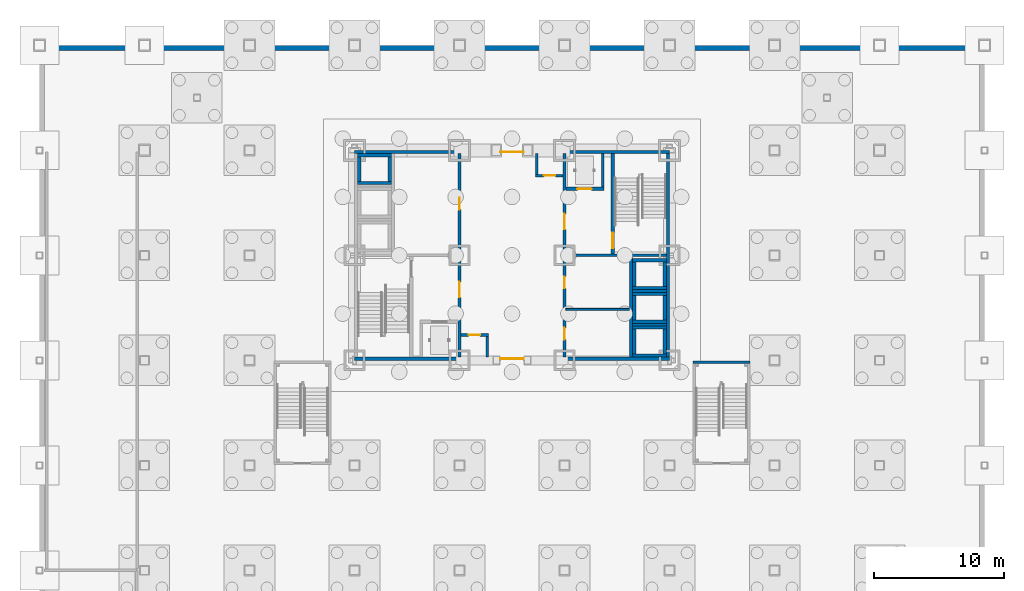
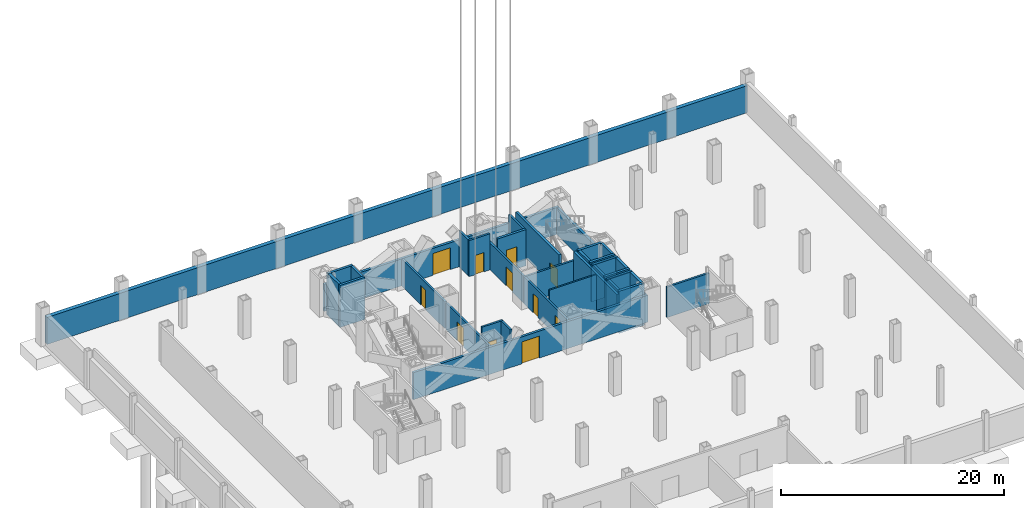
# One storey, part 12 of 17: 37 walls, 11 doors, 11 openings.
"""IFC4 building model written with IfcOpenShell, lengths in metres."""

import ifcopenshell
import ifcopenshell.guid

model = None  # the IFC model being written
_history = None  # IfcOwnerHistory: only IFC2X3 demands one
_inside = {}  # id of a spatial element -> (the spatial element, [elements in it])
_under = {}  # id of a project, library or spatial element -> (it, [spatial elements below it])
_declared = {}  # id of a project -> (the project, [libraries it declares])
_typed = {}  # id of a type object -> (the type object, [elements of that type])
_made_of = {}  # id of a material, layer set ... -> (it, [elements and type objects made of it])


def new_model(schema):
    """Start an empty IFC model of exactly this schema.

    Asked for "IFC4X3", IfcOpenShell would pick the latest addendum, in which some entities
    have other attributes; the version numbers below select the first issue.
    IFC2X3 requires an IfcOwnerHistory on every rooted entity: one is made here for all.
    """
    global model, _history
    if schema == "IFC4X3":
        model = ifcopenshell.file(schema_version=(4, 3, 0, 0))
    else:
        model = ifcopenshell.file(schema=schema)
    _inside.clear()
    _under.clear()
    _declared.clear()
    _typed.clear()
    _made_of.clear()
    _history = None
    if model.schema == "IFC2X3":
        org = make("IfcOrganization", Name="unknown")
        user = make(
            "IfcPersonAndOrganization",
            ThePerson=make("IfcPerson", FamilyName="unknown"),
            TheOrganization=org,
        )
        app = make(
            "IfcApplication",
            ApplicationDeveloper=org,
            Version="unknown",
            ApplicationFullName="unknown",
            ApplicationIdentifier="unknown",
        )
        _history = make(
            "IfcOwnerHistory",
            OwningUser=user,
            OwningApplication=app,
            ChangeAction="ADDED",
            CreationDate=0,
        )
    return model


def make(cls, **values):
    """One entity of the class cls with the attributes given. An attribute that is None is left unset."""
    return model.create_entity(
        cls, **{name: value for name, value in values.items() if value is not None}
    )


def rooted(cls, **values):
    """An entity with a GlobalId (a new one), such as an element, a storey or a relation."""
    return make(cls, GlobalId=ifcopenshell.guid.new(), OwnerHistory=_history, **values)


def si_unit(unit_type, name, prefix=None):
    """IfcSIUnit, for example si_unit("LENGTHUNIT", "METRE", prefix="MILLI")."""
    return make("IfcSIUnit", UnitType=unit_type, Prefix=prefix, Name=name)


def assignment(units):
    """IfcUnitAssignment: the units of a project."""
    return None if units is None else make("IfcUnitAssignment", Units=units)


def point(xyz):
    """IfcCartesianPoint."""
    return None if xyz is None else make("IfcCartesianPoint", Coordinates=xyz)


def direction(xyz):
    """IfcDirection."""
    return None if xyz is None else make("IfcDirection", DirectionRatios=xyz)


def frame(location, z_axis=None, x_axis=None):
    """IfcAxis2Placement3D, a coordinate frame: its origin and axes. An axis left out is left unset."""
    return make(
        "IfcAxis2Placement3D",
        Location=point(location),
        Axis=direction(z_axis),
        RefDirection=direction(x_axis),
    )


def frame_2d(location, x_axis=None):
    """IfcAxis2Placement2D, a coordinate frame in the plane: its origin and x axis."""
    return make(
        "IfcAxis2Placement2D", Location=point(location), RefDirection=direction(x_axis)
    )


def origin():
    """The frame at (0, 0, 0) with its axes left unset."""
    return frame((0.0, 0.0, 0.0))


def place(relative_to, where):
    """IfcLocalPlacement: puts the frame where relative to a parent placement (None: the world)."""
    return make(
        "IfcLocalPlacement", PlacementRelTo=relative_to, RelativePlacement=where
    )


def context(
    kind, dimensions, precision=None, world=None, true_north=None, identifier=None
):
    """IfcGeometricRepresentationContext, for example the 3D "Model" context."""
    return make(
        "IfcGeometricRepresentationContext",
        ContextIdentifier=identifier,
        ContextType=kind,
        CoordinateSpaceDimension=dimensions,
        Precision=precision,
        WorldCoordinateSystem=world,
        TrueNorth=true_north,
    )


def subcontext(parent, identifier, kind, view, scale=None):
    """IfcGeometricRepresentationSubContext, for example "Body" below "Model"."""
    return make(
        "IfcGeometricRepresentationSubContext",
        ContextIdentifier=identifier,
        ContextType=kind,
        ParentContext=parent,
        TargetScale=scale,
        TargetView=view,
    )


def project(units=None, contexts=None):
    """IfcProject with its units and contexts."""
    return rooted(
        "IfcProject",
        Name="project",
        RepresentationContexts=contexts,
        UnitsInContext=assignment(units),
    )


def spatial(cls, under=None, at=None, **own):
    """A site, building, storey or space (cls), placed at a placement, below another one or the project."""
    s = rooted(cls, ObjectPlacement=at, **own)
    if under is not None:
        _under.setdefault(under.id(), (under, []))[1].append(s)
    return s


def profile(cls, at=None, kind="AREA", **sizes):
    """A parametric profile (cls). Its sizes go by their IFC names, for example OverallWidth=200.0."""
    return make(cls, ProfileType=kind, Position=at, **sizes)


def rectangle(**sizes):
    """IfcRectangleProfileDef."""
    return profile("IfcRectangleProfileDef", **sizes)


def extrude(swept, where, along, depth):
    """IfcExtrudedAreaSolid: the profile swept, set in the frame where, extruded along a direction by depth."""
    return make(
        "IfcExtrudedAreaSolid",
        SweptArea=swept,
        Position=where,
        ExtrudedDirection=direction(along),
        Depth=depth,
    )


def shape(context_of_items, identifier, shape_type, items):
    """IfcShapeRepresentation: the items that make up one representation, for example the "Body"."""
    return make(
        "IfcShapeRepresentation",
        ContextOfItems=context_of_items,
        RepresentationIdentifier=identifier,
        RepresentationType=shape_type,
        Items=items,
    )


def material(Name=None, Category=None):
    """IfcMaterial."""
    return make("IfcMaterial", Name=Name, Category=Category)


def layer(
    of_material, thickness, ventilated=None, Name=None, Category=None, Priority=None
):
    """IfcMaterialLayer: one layer of a wall or slab, of a material (None: an air gap)."""
    return make(
        "IfcMaterialLayer",
        Material=of_material,
        LayerThickness=thickness,
        IsVentilated=ventilated,
        Name=Name,
        Category=Category,
        Priority=Priority,
    )


def layer_set(layers, Name=None):
    """IfcMaterialLayerSet."""
    return make("IfcMaterialLayerSet", MaterialLayers=layers, LayerSetName=Name)


def made_of(thing, what):
    """Note that an element or type object is made of a material, layer set ...; save() writes the relation."""
    if what is not None:
        _made_of.setdefault(what.id(), (what, []))[1].append(thing)
    return thing


def type_object(cls, material=None, **own):
    """A type object (cls), such as IfcWallType, which elements share."""
    return made_of(rooted(cls, **own), material)


def element(
    cls,
    number,
    at=None,
    inside=None,
    cuts=None,
    type_object=None,
    material=None,
    context=None,
    identifier="Body",
    shape_type=None,
    held_by="IfcProductDefinitionShape",
    body=None,
    shapes=None,
    **own,
):
    """One element of the class cls, such as IfcWall. Its Tag is "e" and its number.

    at: its placement. inside: the storey or other place that contains it. cuts: it is an
    opening in that element (IfcRelVoidsElement). A single representation is given by context,
    identifier, shape_type and body (its items); several are given by shapes. held_by: the class
    of the entity that holds the representations. save() writes the other relations.
    """
    e = rooted(cls, Tag="e%d" % number, ObjectPlacement=at, **own)
    if body is not None:
        shapes = [shape(context, identifier, shape_type, body)]
    if shapes is not None:
        e.Representation = make(held_by, Representations=shapes)
    if inside is not None:
        _inside.setdefault(inside.id(), (inside, []))[1].append(e)
    if cuts is not None:
        rooted(
            "IfcRelVoidsElement", RelatingBuildingElement=cuts, RelatedOpeningElement=e
        )
    if type_object is not None:
        _typed.setdefault(type_object.id(), (type_object, []))[1].append(e)
    return made_of(e, material)


def fill(opening, filler):
    """IfcRelFillsElement: the door or window that sits in an opening."""
    return rooted(
        "IfcRelFillsElement",
        RelatingOpeningElement=opening,
        RelatedBuildingElement=filler,
    )


def aggregate(whole, parts):
    """IfcRelAggregates: a whole, such as a stair, and the parts it consists of."""
    return rooted("IfcRelAggregates", RelatingObject=whole, RelatedObjects=parts)


def save(model, path):
    """Write the relations noted so far, then the file.

    IfcRelAggregates (storeys below a building ...), IfcRelContainedInSpatialStructure (elements
    in a storey), IfcRelDefinesByType, IfcRelAssociatesMaterial and IfcRelDeclares: one each for
    every whole, place, type object, material and project.
    """
    for whole, parts in _under.values():
        aggregate(whole, parts)
    for where, things in _inside.values():
        rooted(
            "IfcRelContainedInSpatialStructure",
            RelatedElements=things,
            RelatingStructure=where,
        )
    for kind, things in _typed.values():
        rooted("IfcRelDefinesByType", RelatedObjects=things, RelatingType=kind)
    for what, things in _made_of.values():
        rooted("IfcRelAssociatesMaterial", RelatedObjects=things, RelatingMaterial=what)
    for by, libraries in _declared.values():
        rooted("IfcRelDeclares", RelatingContext=by, RelatedDefinitions=libraries)
    model.write(path)


model = new_model("IFC4")

# Units and contexts
model_context = context("Model", 3, precision=1e-05, world=origin(), true_north=direction((0.0, 1.0)))
body_context = subcontext(model_context, "Body", "Model", "MODEL_VIEW")
ifc_project = project(units=[si_unit("LENGTHUNIT", "METRE"), si_unit("AREAUNIT", "SQUARE_METRE"), si_unit("VOLUMEUNIT", "CUBIC_METRE"), si_unit("PLANEANGLEUNIT", "RADIAN"), si_unit("MASSUNIT", "GRAM", prefix="KILO")], contexts=[model_context])

# Site, building, storey
site_placement = place(None, origin())
site = spatial("IfcSite", under=ifc_project, at=site_placement, CompositionType="ELEMENT")
building_placement = place(site_placement, origin())
building = spatial("IfcBuilding", under=site, at=building_placement, Name="Kopane Lantern Tower", CompositionType="ELEMENT")
storey_placement = place(building_placement, frame((0.0, 0.0, -8.39990234375)))
storey = spatial("IfcBuildingStorey", under=building, at=storey_placement, Name="L-02", CompositionType="ELEMENT", Elevation=-8.39990234375)

# Walls
ifc_material_1 = material(Name="Concrete C40/50", Category="concrete")
ifc_layer_1 = layer(ifc_material_1, 0.39990234375)
ifc_layer_set_1 = layer_set([ifc_layer_1], Name="BASEMENT RETAINING WALL 400")
wall_type_1 = type_object("IfcWallType", Name="BASEMENT RETAINING WALL 400", PredefinedType="SOLIDWALL", material=ifc_layer_set_1)
wall_1_placement = place(storey_placement, frame((64.60009765625, 48.39990234375, 0.0), z_axis=(0.0, 0.0, 1.0), x_axis=(-1.0, 0.0, 0.0)))
element("IfcWall", 1, at=wall_1_placement, inside=storey, type_object=wall_type_1, Name="Basement Retaining Wall 400 L-02", PredefinedType="SOLIDWALL", context=body_context, shape_type="SweptSolid", body=[
    extrude(rectangle(XDim=72.5, YDim=0.39990234375, at=frame_2d((36.25, 0.0))), origin(), (0.0, 0.0, 1.0), 2.949951171875),
])
ifc_material_2 = material(Name="Gypsum partition EI 60", Category="gypsum")
ifc_layer_2 = layer(ifc_material_2, 0.14990234375)
ifc_layer_set_2 = layer_set([ifc_layer_2], Name="CORE ROOM PARTITION 150 EI 60")
wall_type_2 = type_object("IfcWallType", Name="CORE ROOM PARTITION 150 EI 60", PredefinedType="PARTITIONING", material=ifc_layer_set_2)
wall_2_placement = place(storey_placement, frame((32.5, 28.22509765625, 0.0), z_axis=(0.0, 0.0, 1.0), x_axis=(1.0, 0.0, 0.0)))
element("IfcWall", 2, at=wall_2_placement, inside=storey, type_object=wall_type_2, Name="Core room partition L-02 E1", PredefinedType="PARTITIONING", context=body_context, shape_type="SweptSolid", body=[
    extrude(rectangle(XDim=4.89990234375, YDim=0.14990234375, at=frame_2d((2.449951171875, 0.0))), origin(), (0.0, 0.0, 1.0), 3.949951171875),
])

# Wall, opening, door
ifc_material_3 = material(Name="Gypsum partition EI 60", Category="gypsum")
ifc_layer_3 = layer(ifc_material_3, 0.199951171875)
ifc_layer_set_3 = layer_set([ifc_layer_3], Name="CORE ROOM WALL 200 EI 60")
wall_type_3 = type_object("IfcWallType", Name="CORE ROOM WALL 200 EI 60", PredefinedType="PARTITIONING", material=ifc_layer_set_3)
wall_3_placement = place(storey_placement, frame((24.300048828125, 32.5, 0.0), z_axis=(0.0, 0.0, 1.0), x_axis=(0.0, 1.0, 0.0)))
wall_3 = element("IfcWall", 3, at=wall_3_placement, inside=storey, type_object=wall_type_3, Name="Core room wall L-02 XW", PredefinedType="PARTITIONING", context=body_context, shape_type="SweptSolid", body=[
    extrude(rectangle(XDim=7.75, YDim=0.199951171875, at=frame_2d((3.875, 0.0))), origin(), (0.0, 0.0, 1.0), 2.949951171875),
])
opening_1_placement = place(wall_3_placement, frame((3.425048828125, 0.0, 0.0)))
opening_1 = element("IfcOpeningElement", 4, at=opening_1_placement, cuts=wall_3, Name="Opening L-02.C30", PredefinedType="OPENING", context=body_context, shape_type="SweptSolid", body=[
    extrude(rectangle(XDim=0.89990234375, YDim=2.10009765625, at=frame_2d((0.449951171875, 1.050048828125))), frame((0.0, 0.10986328125, 0.0), z_axis=(0.0, -1.0, 0.0), x_axis=(1.0, 0.0, 0.0)), (0.0, 0.0, 1.0), 0.219970703125),
])
ifc_material_4 = material(Name="Steel door set", Category="steel")
door_type_1 = type_object("IfcDoorType", Name="CORE ROOM DOOR 900x2100 FD60", OperationType="SINGLE_SWING_LEFT", PredefinedType="DOOR", material=ifc_material_4)
door_1_placement = place(opening_1_placement, origin())
door_1 = element("IfcDoor", 5, at=door_1_placement, inside=storey, type_object=door_type_1, Name="Door Basement store L-02", OperationType="SINGLE_SWING_LEFT", OverallHeight=2.10009765625, OverallWidth=0.89990234375, PredefinedType="DOOR", context=body_context, shape_type="SweptSolid", body=[
    extrude(rectangle(XDim=0.89990234375, YDim=2.10009765625, at=frame_2d((0.449951171875, 1.050048828125))), frame((0.0, 0.02490234375, 0.0), z_axis=(0.0, -1.0, 0.0), x_axis=(1.0, 0.0, 0.0)), (0.0, 0.0, 1.0), 0.050048828125),
])
fill(opening_1, door_1)

# Wall, openings, doors
wall_4_placement = place(storey_placement, frame((32.39990234375, 24.550048828125, 0.0), z_axis=(0.0, 0.0, 1.0), x_axis=(0.0, 1.0, 0.0)))
wall_4 = element("IfcWall", 6, at=wall_4_placement, inside=storey, type_object=wall_type_3, Name="Core room wall L-02 XE", PredefinedType="PARTITIONING", context=body_context, shape_type="SweptSolid", body=[
    extrude(rectangle(XDim=7.75, YDim=0.199951171875, at=frame_2d((3.875, 0.0))), origin(), (0.0, 0.0, 1.0), 2.949951171875),
])
opening_2_placement = place(wall_4_placement, frame((1.35009765625, 0.0, 0.0)))
opening_2 = element("IfcOpeningElement", 7, at=opening_2_placement, cuts=wall_4, Name="Opening L-02.C20", PredefinedType="OPENING", context=body_context, shape_type="SweptSolid", body=[
    extrude(rectangle(XDim=0.89990234375, YDim=2.10009765625, at=frame_2d((0.449951171875, 1.050048828125))), frame((0.0, 0.10986328125, 0.0), z_axis=(0.0, -1.0, 0.0), x_axis=(1.0, 0.0, 0.0)), (0.0, 0.0, 1.0), 0.219970703125),
])
opening_3_placement = place(wall_4_placement, frame((5.300048828125, 0.0, 0.0)))
opening_3 = element("IfcOpeningElement", 8, at=opening_3_placement, cuts=wall_4, Name="Opening L-02.C21", PredefinedType="OPENING", context=body_context, shape_type="SweptSolid", body=[
    extrude(rectangle(XDim=0.89990234375, YDim=2.10009765625, at=frame_2d((0.449951171875, 1.050048828125))), frame((0.0, 0.10986328125, 0.0), z_axis=(0.0, -1.0, 0.0), x_axis=(1.0, 0.0, 0.0)), (0.0, 0.0, 1.0), 0.219970703125),
])
door_2_placement = place(opening_2_placement, origin())
door_2 = element("IfcDoor", 9, at=door_2_placement, inside=storey, type_object=door_type_1, Name="Door Electrical room L-02", OperationType="SINGLE_SWING_LEFT", OverallHeight=2.10009765625, OverallWidth=0.89990234375, PredefinedType="DOOR", context=body_context, shape_type="SweptSolid", body=[
    extrude(rectangle(XDim=0.89990234375, YDim=2.10009765625, at=frame_2d((0.449951171875, 1.050048828125))), frame((0.0, 0.02490234375, 0.0), z_axis=(0.0, -1.0, 0.0), x_axis=(1.0, 0.0, 0.0)), (0.0, 0.0, 1.0), 0.050048828125),
])
fill(opening_2, door_2)
door_3_placement = place(opening_3_placement, origin())
door_3 = element("IfcDoor", 10, at=door_3_placement, inside=storey, type_object=door_type_1, Name="Door Plant store L-02", OperationType="SINGLE_SWING_LEFT", OverallHeight=2.10009765625, OverallWidth=0.89990234375, PredefinedType="DOOR", context=body_context, shape_type="SweptSolid", body=[
    extrude(rectangle(XDim=0.89990234375, YDim=2.10009765625, at=frame_2d((0.449951171875, 1.050048828125))), frame((0.0, 0.02490234375, 0.0), z_axis=(0.0, -1.0, 0.0), x_axis=(1.0, 0.0, 0.0)), (0.0, 0.0, 1.0), 0.050048828125),
])
fill(opening_3, door_3)

# Wall, opening, door
ifc_material_5 = material(Name="Gypsum shaft wall EI 120", Category="gypsum")
ifc_layer_4 = layer(ifc_material_5, 0.25)
ifc_layer_set_4 = layer_set([ifc_layer_4], Name="CORE SHAFT WALL 250 EI 120")
wall_type_4 = type_object("IfcWallType", Name="CORE SHAFT WALL 250 EI 120", PredefinedType="SOLIDWALL", material=ifc_layer_set_4)
wall_5_placement = place(storey_placement, frame((16.199951171875, 24.425048828125, 0.0), z_axis=(0.0, 0.0, 1.0), x_axis=(1.0, 0.0, 0.0)))
wall_5 = element("IfcWall", 11, at=wall_5_placement, inside=storey, type_object=wall_type_4, Name="Core shaft wall L-02 PS", PredefinedType="SOLIDWALL", context=body_context, shape_type="SweptSolid", body=[
    extrude(rectangle(XDim=24.300048828125, YDim=0.25, at=frame_2d((12.14990234375, 0.0))), origin(), (0.0, 0.0, 1.0), 2.949951171875),
])
opening_4_placement = place(wall_5_placement, frame((11.25, 0.0, 0.0)))
opening_4 = element("IfcOpeningElement", 12, at=opening_4_placement, cuts=wall_5, Name="Opening L-02.CE-S", PredefinedType="OPENING", context=body_context, shape_type="SweptSolid", body=[
    extrude(rectangle(XDim=1.800048828125, YDim=2.39990234375, at=frame_2d((0.89990234375, 1.199951171875))), frame((0.0, 0.135009765625, 0.0), z_axis=(0.0, -1.0, 0.0), x_axis=(1.0, 0.0, 0.0)), (0.0, 0.0, 1.0), 0.27001953125),
])
ifc_material_6 = material(Name="Steel door set", Category="steel")
door_type_2 = type_object("IfcDoorType", Name="CORE ENTRY DOOR 1800x2400 FD60S", OperationType="DOUBLE_DOOR_SINGLE_SWING", PredefinedType="DOOR", material=ifc_material_6)
door_4_placement = place(opening_4_placement, origin())
door_4 = element("IfcDoor", 13, at=door_4_placement, inside=storey, type_object=door_type_2, Name="Core entry door L-02 south", OperationType="DOUBLE_DOOR_SINGLE_SWING", OverallHeight=2.39990234375, OverallWidth=1.800048828125, PredefinedType="DOOR", context=body_context, shape_type="SweptSolid", body=[
    extrude(rectangle(XDim=1.800048828125, YDim=2.39990234375, at=frame_2d((0.89990234375, 1.199951171875))), frame((0.0, 0.02490234375, 0.0), z_axis=(0.0, -1.0, 0.0), x_axis=(1.0, 0.0, 0.0)), (0.0, 0.0, 1.0), 0.050048828125),
])
fill(opening_4, door_4)

wall_6_placement = place(storey_placement, frame((16.199951171875, 40.375, 0.0), z_axis=(0.0, 0.0, 1.0), x_axis=(1.0, 0.0, 0.0)))
wall_6 = element("IfcWall", 14, at=wall_6_placement, inside=storey, type_object=wall_type_4, Name="Core shaft wall L-02 PN", PredefinedType="SOLIDWALL", context=body_context, shape_type="SweptSolid", body=[
    extrude(rectangle(XDim=24.300048828125, YDim=0.25, at=frame_2d((12.14990234375, 0.0))), origin(), (0.0, 0.0, 1.0), 2.949951171875),
])
opening_5_placement = place(wall_6_placement, frame((11.25, 0.0, 0.0)))
opening_5 = element("IfcOpeningElement", 15, at=opening_5_placement, cuts=wall_6, Name="Opening L-02.CE-N", PredefinedType="OPENING", context=body_context, shape_type="SweptSolid", body=[
    extrude(rectangle(XDim=1.800048828125, YDim=2.39990234375, at=frame_2d((0.89990234375, 1.199951171875))), frame((0.0, 0.135009765625, 0.0), z_axis=(0.0, -1.0, 0.0), x_axis=(1.0, 0.0, 0.0)), (0.0, 0.0, 1.0), 0.27001953125),
])
door_5_placement = place(opening_5_placement, origin())
door_5 = element("IfcDoor", 16, at=door_5_placement, inside=storey, type_object=door_type_2, Name="Core entry door L-02 north", OperationType="DOUBLE_DOOR_SINGLE_SWING", OverallHeight=2.39990234375, OverallWidth=1.800048828125, PredefinedType="DOOR", context=body_context, shape_type="SweptSolid", body=[
    extrude(rectangle(XDim=1.800048828125, YDim=2.39990234375, at=frame_2d((0.89990234375, 1.199951171875))), frame((0.0, 0.02490234375, 0.0), z_axis=(0.0, -1.0, 0.0), x_axis=(1.0, 0.0, 0.0)), (0.0, 0.0, 1.0), 0.050048828125),
])
fill(opening_5, door_5)

# Walls
wall_7_placement = place(storey_placement, frame((40.375, 24.550048828125, 0.0), z_axis=(0.0, 0.0, 1.0), x_axis=(0.0, 1.0, 0.0)))
element("IfcWall", 17, at=wall_7_placement, inside=storey, type_object=wall_type_4, Name="Core shaft wall L-02 PE", PredefinedType="SOLIDWALL", context=body_context, shape_type="SweptSolid", body=[
    extrude(rectangle(XDim=15.699951171875, YDim=0.25, at=frame_2d((7.85009765625, 0.0))), origin(), (0.0, 0.0, 1.0), 2.949951171875),
])
wall_8_placement = place(storey_placement, frame((37.52490234375, 24.550048828125, 0.0), z_axis=(0.0, 0.0, 1.0), x_axis=(0.0, 1.0, 0.0)))
element("IfcWall", 18, at=wall_8_placement, inside=storey, type_object=wall_type_4, Name="Core shaft wall L-02 XLR", PredefinedType="SOLIDWALL", context=body_context, shape_type="SweptSolid", body=[
    extrude(rectangle(XDim=7.75, YDim=0.25, at=frame_2d((3.875, 0.0))), origin(), (0.0, 0.0, 1.0), 3.949951171875),
])

# Wall, opening, door
wall_9_placement = place(storey_placement, frame((36.125, 32.5, 0.0), z_axis=(0.0, 0.0, 1.0), x_axis=(0.0, 1.0, 0.0)))
wall_9 = element("IfcWall", 19, at=wall_9_placement, inside=storey, type_object=wall_type_4, Name="Core shaft wall L-02 XST2", PredefinedType="SOLIDWALL", context=body_context, shape_type="SweptSolid", body=[
    extrude(rectangle(XDim=7.75, YDim=0.25, at=frame_2d((3.875, 0.0))), origin(), (0.0, 0.0, 1.0), 3.949951171875),
])
opening_6_placement = place(wall_9_placement, frame((0.449951171875, 0.0, 0.0)))
opening_6 = element("IfcOpeningElement", 20, at=opening_6_placement, cuts=wall_9, Name="Opening L-02.SD2", PredefinedType="OPENING", context=body_context, shape_type="SweptSolid", body=[
    extrude(rectangle(XDim=1.199951171875, YDim=2.10009765625, at=frame_2d((0.60009765625, 1.050048828125))), frame((0.0, 0.135009765625, 0.0), z_axis=(0.0, -1.0, 0.0), x_axis=(1.0, 0.0, 0.0)), (0.0, 0.0, 1.0), 0.27001953125),
])
ifc_material_7 = material(Name="Steel door set", Category="steel")
door_type_3 = type_object("IfcDoorType", Name="STAIR DOOR 1200x2100 FD60S", OperationType="SINGLE_SWING_LEFT", PredefinedType="DOOR", material=ifc_material_7)
door_6_placement = place(opening_6_placement, origin())
door_6 = element("IfcDoor", 21, at=door_6_placement, inside=storey, type_object=door_type_3, Name="Stair door ST2 L-02", OperationType="SINGLE_SWING_RIGHT", OverallHeight=2.10009765625, OverallWidth=1.199951171875, PredefinedType="DOOR", context=body_context, shape_type="SweptSolid", body=[
    extrude(rectangle(XDim=1.199951171875, YDim=2.10009765625, at=frame_2d((0.60009765625, 1.050048828125))), frame((0.0, 0.02490234375, 0.0), z_axis=(0.0, -1.0, 0.0), x_axis=(1.0, 0.0, 0.0)), (0.0, 0.0, 1.0), 0.050048828125),
])
fill(opening_6, door_6)

wall_10_placement = place(storey_placement, frame((32.5, 37.52490234375, 0.0), z_axis=(0.0, 0.0, 1.0), x_axis=(1.0, 0.0, 0.0)))
wall_10 = element("IfcWall", 22, at=wall_10_placement, inside=storey, type_object=wall_type_4, Name="Core shaft wall L-02 YLF2", PredefinedType="SOLIDWALL", context=body_context, shape_type="SweptSolid", body=[
    extrude(rectangle(XDim=2.949951171875, YDim=0.25, at=frame_2d((1.47509765625, 0.0))), origin(), (0.0, 0.0, 1.0), 3.949951171875),
])
opening_7_placement = place(wall_10_placement, frame((0.89990234375, 0.0, 0.0)))
opening_7 = element("IfcOpeningElement", 23, at=opening_7_placement, cuts=wall_10, Name="Opening L-02.LD-LF2", PredefinedType="OPENING", context=body_context, shape_type="SweptSolid", body=[
    extrude(rectangle(XDim=1.10009765625, YDim=2.39990234375, at=frame_2d((0.550048828125, 1.199951171875))), frame((0.0, 0.135009765625, 0.0), z_axis=(0.0, -1.0, 0.0), x_axis=(1.0, 0.0, 0.0)), (0.0, 0.0, 1.0), 0.27001953125),
])
ifc_material_8 = material(Name="Steel door set", Category="steel")
door_type_4 = type_object("IfcDoorType", Name="LIFT LANDING DOOR 1100x2400 FD60", OperationType="DOUBLE_DOOR_SLIDING", PredefinedType="DOOR", material=ifc_material_8)
door_7_placement = place(opening_7_placement, origin())
door_7 = element("IfcDoor", 24, at=door_7_placement, inside=storey, type_object=door_type_4, Name="Landing door LF2 L-02", OperationType="DOUBLE_DOOR_SLIDING", OverallHeight=2.39990234375, OverallWidth=1.10009765625, PredefinedType="DOOR", context=body_context, shape_type="SweptSolid", body=[
    extrude(rectangle(XDim=1.10009765625, YDim=2.39990234375, at=frame_2d((0.550048828125, 1.199951171875))), frame((0.0, 0.02490234375, 0.0), z_axis=(0.0, -1.0, 0.0), x_axis=(1.0, 0.0, 0.0)), (0.0, 0.0, 1.0), 0.050048828125),
])
fill(opening_7, door_7)

# Walls
ifc_material_9 = material(Name="Concrete C40/50", Category="concrete")
ifc_layer_5 = layer(ifc_material_9, 0.25)
ifc_layer_set_5 = layer_set([ifc_layer_5], Name="LIFT PIT WALL 250")
wall_type_5 = type_object("IfcWallType", Name="LIFT PIT WALL 250", PredefinedType="SOLIDWALL", material=ifc_layer_set_5)
for number, where, z_axis, x_axis, name in (
    (25, (16.449951171875, 37.97509765625, -0.400146484375), (0.0, 0.0, 1.0), (1.0, 0.0, 0.0), "Lift pit wall LH3 S"),
    (26, (16.449951171875, 40.125, -0.400146484375), (0.0, 0.0, 1.0), (1.0, 0.0, 0.0), "Lift pit wall LH3 N"),
):
    element("IfcWall", number, at=place(storey_placement, frame(where, z_axis=z_axis, x_axis=x_axis)), inside=storey, type_object=wall_type_5, Name=name, PredefinedType="SOLIDWALL", context=body_context, shape_type="SweptSolid", body=[
        extrude(rectangle(XDim=2.60009765625, YDim=0.25, at=frame_2d((1.300048828125, 0.0))), origin(), (0.0, 0.0, 1.0), 4.60009765625),
    ])
for number, where, z_axis, x_axis, name in (
    (27, (16.574951171875, 38.10009765625, -0.400146484375), (0.0, 0.0, 1.0), (0.0, 1.0, 0.0), "Lift pit wall LH3 W"),
    (28, (18.925048828125, 38.10009765625, -0.400146484375), (0.0, 0.0, 1.0), (0.0, 1.0, 0.0), "Lift pit wall LH3 E"),
):
    element("IfcWall", number, at=place(storey_placement, frame(where, z_axis=z_axis, x_axis=x_axis)), inside=storey, type_object=wall_type_5, Name=name, PredefinedType="SOLIDWALL", context=body_context, shape_type="SweptSolid", body=[
        extrude(rectangle(XDim=1.89990234375, YDim=0.25, at=frame_2d((0.949951171875, 0.0))), origin(), (0.0, 0.0, 1.0), 4.60009765625),
    ])
for number, where, z_axis, x_axis, name in (
    (29, (37.64990234375, 24.675048828125, -0.400146484375), (0.0, 0.0, 1.0), (1.0, 0.0, 0.0), "Lift pit wall LR1 S"),
    (30, (37.64990234375, 26.824951171875, -0.400146484375), (0.0, 0.0, 1.0), (1.0, 0.0, 0.0), "Lift pit wall LR1 N"),
):
    element("IfcWall", number, at=place(storey_placement, frame(where, z_axis=z_axis, x_axis=x_axis)), inside=storey, type_object=wall_type_5, Name=name, PredefinedType="SOLIDWALL", context=body_context, shape_type="SweptSolid", body=[
        extrude(rectangle(XDim=2.60009765625, YDim=0.25, at=frame_2d((1.300048828125, 0.0))), origin(), (0.0, 0.0, 1.0), 4.60009765625),
    ])
for number, where, z_axis, x_axis, name in (
    (31, (37.77490234375, 24.800048828125, -0.400146484375), (0.0, 0.0, 1.0), (0.0, 1.0, 0.0), "Lift pit wall LR1 W"),
    (32, (40.125, 24.800048828125, -0.400146484375), (0.0, 0.0, 1.0), (0.0, 1.0, 0.0), "Lift pit wall LR1 E"),
):
    element("IfcWall", number, at=place(storey_placement, frame(where, z_axis=z_axis, x_axis=x_axis)), inside=storey, type_object=wall_type_5, Name=name, PredefinedType="SOLIDWALL", context=body_context, shape_type="SweptSolid", body=[
        extrude(rectangle(XDim=1.89990234375, YDim=0.25, at=frame_2d((0.949951171875, 0.0))), origin(), (0.0, 0.0, 1.0), 4.60009765625),
    ])
for number, where, z_axis, x_axis, name in (
    (33, (37.64990234375, 27.27490234375, -0.400146484375), (0.0, 0.0, 1.0), (1.0, 0.0, 0.0), "Lift pit wall LR2 S"),
    (34, (37.64990234375, 29.425048828125, -0.400146484375), (0.0, 0.0, 1.0), (1.0, 0.0, 0.0), "Lift pit wall LR2 N"),
):
    element("IfcWall", number, at=place(storey_placement, frame(where, z_axis=z_axis, x_axis=x_axis)), inside=storey, type_object=wall_type_5, Name=name, PredefinedType="SOLIDWALL", context=body_context, shape_type="SweptSolid", body=[
        extrude(rectangle(XDim=2.60009765625, YDim=0.25, at=frame_2d((1.300048828125, 0.0))), origin(), (0.0, 0.0, 1.0), 4.60009765625),
    ])
for number, where, z_axis, x_axis, name in (
    (35, (37.77490234375, 27.39990234375, -0.400146484375), (0.0, 0.0, 1.0), (0.0, 1.0, 0.0), "Lift pit wall LR2 W"),
    (36, (40.125, 27.39990234375, -0.400146484375), (0.0, 0.0, 1.0), (0.0, 1.0, 0.0), "Lift pit wall LR2 E"),
):
    element("IfcWall", number, at=place(storey_placement, frame(where, z_axis=z_axis, x_axis=x_axis)), inside=storey, type_object=wall_type_5, Name=name, PredefinedType="SOLIDWALL", context=body_context, shape_type="SweptSolid", body=[
        extrude(rectangle(XDim=1.900146484375, YDim=0.25, at=frame_2d((0.9501953125, 0.0))), origin(), (0.0, 0.0, 1.0), 4.60009765625),
    ])
for number, where, z_axis, x_axis, name in (
    (37, (37.64990234375, 29.875, -0.400146484375), (0.0, 0.0, 1.0), (1.0, 0.0, 0.0), "Lift pit wall LR3 S"),
    (38, (37.64990234375, 32.02490234375, -0.400146484375), (0.0, 0.0, 1.0), (1.0, 0.0, 0.0), "Lift pit wall LR3 N"),
):
    element("IfcWall", number, at=place(storey_placement, frame(where, z_axis=z_axis, x_axis=x_axis)), inside=storey, type_object=wall_type_5, Name=name, PredefinedType="SOLIDWALL", context=body_context, shape_type="SweptSolid", body=[
        extrude(rectangle(XDim=2.60009765625, YDim=0.25, at=frame_2d((1.300048828125, 0.0))), origin(), (0.0, 0.0, 1.0), 4.60009765625),
    ])
for number, where, z_axis, x_axis, name in (
    (39, (37.77490234375, 30.0, -0.400146484375), (0.0, 0.0, 1.0), (0.0, 1.0, 0.0), "Lift pit wall LR3 W"),
    (40, (40.125, 30.0, -0.400146484375), (0.0, 0.0, 1.0), (0.0, 1.0, 0.0), "Lift pit wall LR3 E"),
):
    element("IfcWall", number, at=place(storey_placement, frame(where, z_axis=z_axis, x_axis=x_axis)), inside=storey, type_object=wall_type_5, Name=name, PredefinedType="SOLIDWALL", context=body_context, shape_type="SweptSolid", body=[
        extrude(rectangle(XDim=1.89990234375, YDim=0.25, at=frame_2d((0.949951171875, 0.0))), origin(), (0.0, 0.0, 1.0), 4.60009765625),
    ])

# Wall, opening, door
ifc_material_10 = material(Name="Gypsum shaft wall EI 120", Category="gypsum")
ifc_layer_6 = layer(ifc_material_10, 0.199951171875)
ifc_layer_set_6 = layer_set([ifc_layer_6], Name="SHAFT WALL 200 EI 120")
wall_type_6 = type_object("IfcWallType", Name="SHAFT WALL 200 EI 120", PredefinedType="SOLIDWALL", material=ifc_layer_set_6)
wall_11_placement = place(storey_placement, frame((24.300048828125, 24.550048828125, 0.0), z_axis=(0.0, 0.0, 1.0), x_axis=(0.0, 1.0, 0.0)))
wall_11 = element("IfcWall", 41, at=wall_11_placement, inside=storey, type_object=wall_type_6, Name="Core shaft wall L-02 X243", PredefinedType="SOLIDWALL", context=body_context, shape_type="SweptSolid", body=[
    extrude(rectangle(XDim=7.75, YDim=0.199951171875, at=frame_2d((3.875, 0.0))), origin(), (0.0, 0.0, 1.0), 2.949951171875),
])
opening_8_placement = place(wall_11_placement, frame((4.60009765625, 0.0, 0.0)))
opening_8 = element("IfcOpeningElement", 42, at=opening_8_placement, cuts=wall_11, Name="Opening L-02.FL1", PredefinedType="OPENING", context=body_context, shape_type="SweptSolid", body=[
    extrude(rectangle(XDim=1.199951171875, YDim=2.10009765625, at=frame_2d((0.60009765625, 1.050048828125))), frame((0.0, 0.10986328125, 0.0), z_axis=(0.0, -1.0, 0.0), x_axis=(1.0, 0.0, 0.0)), (0.0, 0.0, 1.0), 0.219970703125),
])
ifc_material_11 = material(Name="Steel door set", Category="steel")
door_type_5 = type_object("IfcDoorType", Name="FIREFIGHTING LOBBY DOOR 1200x2100 FD60S", OperationType="SINGLE_SWING_RIGHT", PredefinedType="DOOR", material=ifc_material_11)
door_8_placement = place(opening_8_placement, origin())
door_8 = element("IfcDoor", 43, at=door_8_placement, inside=storey, type_object=door_type_5, Name="Firefighting lobby door FL1 L-02", OperationType="SINGLE_SWING_LEFT", OverallHeight=2.10009765625, OverallWidth=1.199951171875, PredefinedType="DOOR", context=body_context, shape_type="SweptSolid", body=[
    extrude(rectangle(XDim=1.199951171875, YDim=2.10009765625, at=frame_2d((0.60009765625, 1.050048828125))), frame((0.0, 0.02490234375, 0.0), z_axis=(0.0, -1.0, 0.0), x_axis=(1.0, 0.0, 0.0)), (0.0, 0.0, 1.0), 0.050048828125),
])
fill(opening_8, door_8)

# Wall
wall_12_placement = place(storey_placement, frame((26.449951171875, 24.550048828125, 0.0), z_axis=(0.0, 0.0, 1.0), x_axis=(0.0, 1.0, 0.0)))
element("IfcWall", 44, at=wall_12_placement, inside=storey, type_object=wall_type_6, Name="Core shaft wall L-02 XRS1", PredefinedType="SOLIDWALL", context=body_context, shape_type="SweptSolid", body=[
    extrude(rectangle(XDim=1.599853515625, YDim=0.199951171875, at=frame_2d((0.7998046875, 0.0))), origin(), (0.0, 0.0, 1.0), 3.949951171875),
])

# Wall, opening, door
wall_13_placement = place(storey_placement, frame((24.39990234375, 26.25, 0.0), z_axis=(0.0, 0.0, 1.0), x_axis=(1.0, 0.0, 0.0)))
wall_13 = element("IfcWall", 45, at=wall_13_placement, inside=storey, type_object=wall_type_6, Name="Core shaft wall L-02 YRS1", PredefinedType="SOLIDWALL", context=body_context, shape_type="SweptSolid", body=[
    extrude(rectangle(XDim=2.150146484375, YDim=0.199951171875, at=frame_2d((1.0751953125, 0.0))), origin(), (0.0, 0.0, 1.0), 3.949951171875),
])
opening_9_placement = place(wall_13_placement, frame((0.60009765625, 0.0, 0.0)))
opening_9 = element("IfcOpeningElement", 46, at=opening_9_placement, cuts=wall_13, Name="Opening L-02.RS1", PredefinedType="OPENING", context=body_context, shape_type="SweptSolid", body=[
    extrude(rectangle(XDim=0.89990234375, YDim=2.10009765625, at=frame_2d((0.449951171875, 1.050048828125))), frame((0.0, 0.10986328125, 0.0), z_axis=(0.0, -1.0, 0.0), x_axis=(1.0, 0.0, 0.0)), (0.0, 0.0, 1.0), 0.219970703125),
])
ifc_material_12 = material(Name="Steel door set", Category="steel")
door_type_6 = type_object("IfcDoorType", Name="RISER ACCESS DOOR 900x2100 FD60", OperationType="SINGLE_SWING_LEFT", PredefinedType="DOOR", material=ifc_material_12)
door_9_placement = place(opening_9_placement, origin())
door_9 = element("IfcDoor", 47, at=door_9_placement, inside=storey, type_object=door_type_6, Name="Riser access door RS1 L-02", OperationType="SINGLE_SWING_LEFT", OverallHeight=2.10009765625, OverallWidth=0.89990234375, PredefinedType="DOOR", context=body_context, shape_type="SweptSolid", body=[
    extrude(rectangle(XDim=0.89990234375, YDim=2.10009765625, at=frame_2d((0.449951171875, 1.050048828125))), frame((0.0, 0.02490234375, 0.0), z_axis=(0.0, -1.0, 0.0), x_axis=(1.0, 0.0, 0.0)), (0.0, 0.0, 1.0), 0.050048828125),
])
fill(opening_9, door_9)

# Wall
wall_14_placement = place(storey_placement, frame((32.300048828125, 32.39990234375, 0.0), z_axis=(0.0, 0.0, 1.0), x_axis=(1.0, 0.0, 0.0)))
element("IfcWall", 48, at=wall_14_placement, inside=storey, type_object=wall_type_6, Name="Core shaft wall L-02 Y324E", PredefinedType="SOLIDWALL", context=body_context, shape_type="SweptSolid", body=[
    extrude(rectangle(XDim=7.949951171875, YDim=0.199951171875, at=frame_2d((3.97509765625, 0.0))), origin(), (0.0, 0.0, 1.0), 2.949951171875),
])

# Wall, opening, door
wall_15_placement = place(storey_placement, frame((32.39990234375, 32.5, 0.0), z_axis=(0.0, 0.0, 1.0), x_axis=(0.0, 1.0, 0.0)))
wall_15 = element("IfcWall", 49, at=wall_15_placement, inside=storey, type_object=wall_type_6, Name="Core shaft wall L-02 X324", PredefinedType="SOLIDWALL", context=body_context, shape_type="SweptSolid", body=[
    extrude(rectangle(XDim=7.75, YDim=0.199951171875, at=frame_2d((3.875, 0.0))), origin(), (0.0, 0.0, 1.0), 2.949951171875),
])
opening_10_placement = place(wall_15_placement, frame((1.89990234375, 0.0, 0.0)))
opening_10 = element("IfcOpeningElement", 50, at=opening_10_placement, cuts=wall_15, Name="Opening L-02.FL2", PredefinedType="OPENING", context=body_context, shape_type="SweptSolid", body=[
    extrude(rectangle(XDim=1.199951171875, YDim=2.10009765625, at=frame_2d((0.60009765625, 1.050048828125))), frame((0.0, 0.10986328125, 0.0), z_axis=(0.0, -1.0, 0.0), x_axis=(1.0, 0.0, 0.0)), (0.0, 0.0, 1.0), 0.219970703125),
])
door_10_placement = place(opening_10_placement, origin())
door_10 = element("IfcDoor", 51, at=door_10_placement, inside=storey, type_object=door_type_5, Name="Firefighting lobby door FL2 L-02", OperationType="SINGLE_SWING_LEFT", OverallHeight=2.10009765625, OverallWidth=1.199951171875, PredefinedType="DOOR", context=body_context, shape_type="SweptSolid", body=[
    extrude(rectangle(XDim=1.199951171875, YDim=2.10009765625, at=frame_2d((0.60009765625, 1.050048828125))), frame((0.0, 0.02490234375, 0.0), z_axis=(0.0, -1.0, 0.0), x_axis=(1.0, 0.0, 0.0)), (0.0, 0.0, 1.0), 0.050048828125),
])
fill(opening_10, door_10)

# Walls
for number, where, z_axis, x_axis, name in (
    (52, (37.64990234375, 27.050048828125, 0.0), (0.0, 0.0, 1.0), (1.0, 0.0, 0.0), "Core shaft wall L-02 YLR12"),
    (53, (37.64990234375, 29.64990234375, 0.0), (0.0, 0.0, 1.0), (1.0, 0.0, 0.0), "Core shaft wall L-02 YLR23"),
    (54, (35.35009765625, 37.64990234375, 0.0), (0.0, 0.0, 1.0), (0.0, 1.0, 0.0), "Core shaft wall L-02 XLF2"),
):
    element("IfcWall", number, at=place(storey_placement, frame(where, z_axis=z_axis, x_axis=x_axis)), inside=storey, type_object=wall_type_6, Name=name, PredefinedType="SOLIDWALL", context=body_context, shape_type="SweptSolid", body=[
        extrude(rectangle(XDim=2.60009765625, YDim=0.199951171875, at=frame_2d((1.300048828125, 0.0))), origin(), (0.0, 0.0, 1.0), 3.949951171875),
    ])
wall_16_placement = place(storey_placement, frame((30.25, 38.64990234375, 0.0), z_axis=(0.0, 0.0, 1.0), x_axis=(0.0, 1.0, 0.0)))
element("IfcWall", 55, at=wall_16_placement, inside=storey, type_object=wall_type_6, Name="Core shaft wall L-02 XRS2", PredefinedType="SOLIDWALL", context=body_context, shape_type="SweptSolid", body=[
    extrude(rectangle(XDim=1.60009765625, YDim=0.199951171875, at=frame_2d((0.800048828125, 0.0))), origin(), (0.0, 0.0, 1.0), 3.949951171875),
])

# Wall, opening, door
wall_17_placement = place(storey_placement, frame((30.14990234375, 38.550048828125, 0.0), z_axis=(0.0, 0.0, 1.0), x_axis=(1.0, 0.0, 0.0)))
wall_17 = element("IfcWall", 56, at=wall_17_placement, inside=storey, type_object=wall_type_6, Name="Core shaft wall L-02 YRS2", PredefinedType="SOLIDWALL", context=body_context, shape_type="SweptSolid", body=[
    extrude(rectangle(XDim=2.150146484375, YDim=0.199951171875, at=frame_2d((1.0751953125, 0.0))), origin(), (0.0, 0.0, 1.0), 3.949951171875),
])
opening_11_placement = place(wall_17_placement, frame((0.64990234375, 0.0, 0.0)))
opening_11 = element("IfcOpeningElement", 57, at=opening_11_placement, cuts=wall_17, Name="Opening L-02.RS2", PredefinedType="OPENING", context=body_context, shape_type="SweptSolid", body=[
    extrude(rectangle(XDim=0.89990234375, YDim=2.10009765625, at=frame_2d((0.449951171875, 1.050048828125))), frame((0.0, 0.10986328125, 0.0), z_axis=(0.0, -1.0, 0.0), x_axis=(1.0, 0.0, 0.0)), (0.0, 0.0, 1.0), 0.219970703125),
])
door_11_placement = place(opening_11_placement, origin())
door_11 = element("IfcDoor", 58, at=door_11_placement, inside=storey, type_object=door_type_6, Name="Riser access door RS2 L-02", OperationType="SINGLE_SWING_LEFT", OverallHeight=2.10009765625, OverallWidth=0.89990234375, PredefinedType="DOOR", context=body_context, shape_type="SweptSolid", body=[
    extrude(rectangle(XDim=0.89990234375, YDim=2.10009765625, at=frame_2d((0.449951171875, 1.050048828125))), frame((0.0, 0.02490234375, 0.0), z_axis=(0.0, -1.0, 0.0), x_axis=(1.0, 0.0, 0.0)), (0.0, 0.0, 1.0), 0.050048828125),
])
fill(opening_11, door_11)

# Wall
wall_18_placement = place(storey_placement, frame((42.300048828125, 24.14990234375, 0.0), z_axis=(0.0, 0.0, 1.0), x_axis=(1.0, 0.0, 0.0)))
element("IfcWall", 59, at=wall_18_placement, inside=storey, type_object=wall_type_6, Name="Stair enclosure wall ST4 L-02", PredefinedType="SOLIDWALL", context=body_context, shape_type="SweptSolid", body=[
    extrude(rectangle(XDim=4.39990234375, YDim=0.199951171875, at=frame_2d((2.199951171875, 0.0))), origin(), (0.0, 0.0, 1.0), 3.337646484375),
])

save(model, "model.ifc")
